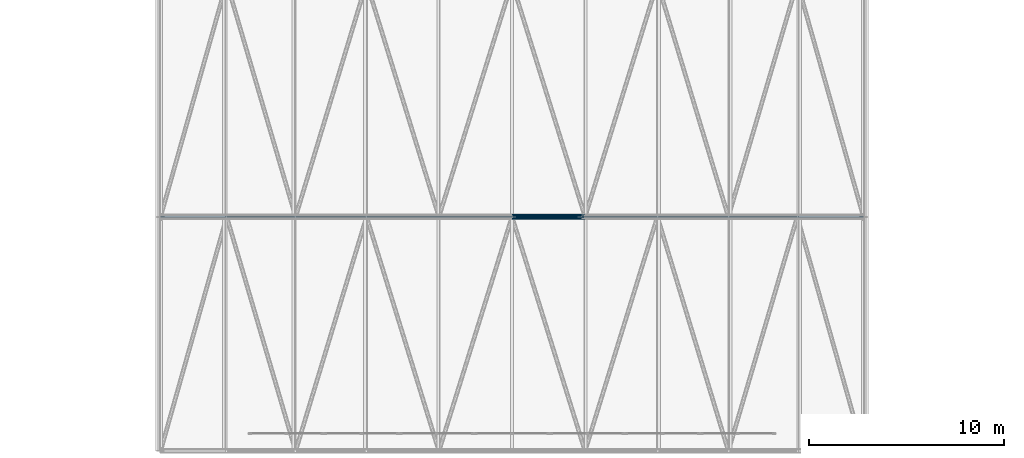
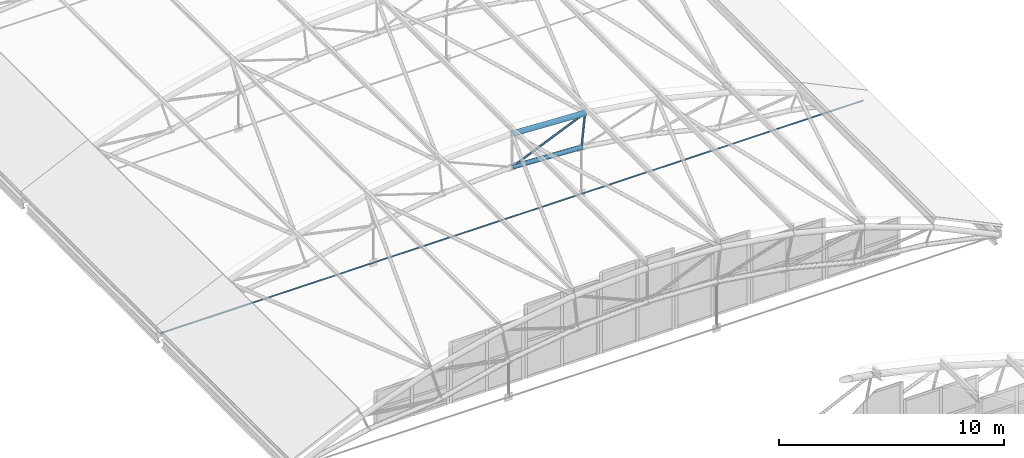
# One storey, part 210 of 321: 5 members.
"""IFC4 building model written with IfcOpenShell, lengths in metres."""

import ifcopenshell
import ifcopenshell.guid

model = None  # the IFC model being written
_history = None  # IfcOwnerHistory: only IFC2X3 demands one
_inside = {}  # id of a spatial element -> (the spatial element, [elements in it])
_under = {}  # id of a project, library or spatial element -> (it, [spatial elements below it])
_declared = {}  # id of a project -> (the project, [libraries it declares])
_typed = {}  # id of a type object -> (the type object, [elements of that type])
_made_of = {}  # id of a material, layer set ... -> (it, [elements and type objects made of it])


def new_model(schema):
    """Start an empty IFC model of exactly this schema.

    Asked for "IFC4X3", IfcOpenShell would pick the latest addendum, in which some entities
    have other attributes; the version numbers below select the first issue.
    IFC2X3 requires an IfcOwnerHistory on every rooted entity: one is made here for all.
    """
    global model, _history
    if schema == "IFC4X3":
        model = ifcopenshell.file(schema_version=(4, 3, 0, 0))
    else:
        model = ifcopenshell.file(schema=schema)
    _inside.clear()
    _under.clear()
    _declared.clear()
    _typed.clear()
    _made_of.clear()
    _history = None
    if model.schema == "IFC2X3":
        org = make("IfcOrganization", Name="unknown")
        user = make(
            "IfcPersonAndOrganization",
            ThePerson=make("IfcPerson", FamilyName="unknown"),
            TheOrganization=org,
        )
        app = make(
            "IfcApplication",
            ApplicationDeveloper=org,
            Version="unknown",
            ApplicationFullName="unknown",
            ApplicationIdentifier="unknown",
        )
        _history = make(
            "IfcOwnerHistory",
            OwningUser=user,
            OwningApplication=app,
            ChangeAction="ADDED",
            CreationDate=0,
        )
    return model


def make(cls, **values):
    """One entity of the class cls with the attributes given. An attribute that is None is left unset."""
    return model.create_entity(
        cls, **{name: value for name, value in values.items() if value is not None}
    )


def rooted(cls, **values):
    """An entity with a GlobalId (a new one), such as an element, a storey or a relation."""
    return make(cls, GlobalId=ifcopenshell.guid.new(), OwnerHistory=_history, **values)


def si_unit(unit_type, name, prefix=None):
    """IfcSIUnit, for example si_unit("LENGTHUNIT", "METRE", prefix="MILLI")."""
    return make("IfcSIUnit", UnitType=unit_type, Prefix=prefix, Name=name)


def assignment(units):
    """IfcUnitAssignment: the units of a project."""
    return None if units is None else make("IfcUnitAssignment", Units=units)


def point(xyz):
    """IfcCartesianPoint."""
    return None if xyz is None else make("IfcCartesianPoint", Coordinates=xyz)


def direction(xyz):
    """IfcDirection."""
    return None if xyz is None else make("IfcDirection", DirectionRatios=xyz)


def frame(location, z_axis=None, x_axis=None):
    """IfcAxis2Placement3D, a coordinate frame: its origin and axes. An axis left out is left unset."""
    return make(
        "IfcAxis2Placement3D",
        Location=point(location),
        Axis=direction(z_axis),
        RefDirection=direction(x_axis),
    )


def frame_2d(location, x_axis=None):
    """IfcAxis2Placement2D, a coordinate frame in the plane: its origin and x axis."""
    return make(
        "IfcAxis2Placement2D", Location=point(location), RefDirection=direction(x_axis)
    )


def origin():
    """The frame at (0, 0, 0) with its axes left unset."""
    return frame((0.0, 0.0, 0.0))


def origin_2d():
    """The frame at (0, 0) in the plane with its x axis left unset."""
    return frame_2d((0.0, 0.0))


def place(relative_to, where):
    """IfcLocalPlacement: puts the frame where relative to a parent placement (None: the world)."""
    return make(
        "IfcLocalPlacement", PlacementRelTo=relative_to, RelativePlacement=where
    )


def context(
    kind, dimensions, precision=None, world=None, true_north=None, identifier=None
):
    """IfcGeometricRepresentationContext, for example the 3D "Model" context."""
    return make(
        "IfcGeometricRepresentationContext",
        ContextIdentifier=identifier,
        ContextType=kind,
        CoordinateSpaceDimension=dimensions,
        Precision=precision,
        WorldCoordinateSystem=world,
        TrueNorth=true_north,
    )


def subcontext(parent, identifier, kind, view, scale=None):
    """IfcGeometricRepresentationSubContext, for example "Body" below "Model"."""
    return make(
        "IfcGeometricRepresentationSubContext",
        ContextIdentifier=identifier,
        ContextType=kind,
        ParentContext=parent,
        TargetScale=scale,
        TargetView=view,
    )


def project(units=None, contexts=None):
    """IfcProject with its units and contexts."""
    return rooted(
        "IfcProject",
        Name="project",
        RepresentationContexts=contexts,
        UnitsInContext=assignment(units),
    )


def spatial(cls, under=None, at=None, **own):
    """A site, building, storey or space (cls), placed at a placement, below another one or the project."""
    s = rooted(cls, ObjectPlacement=at, **own)
    if under is not None:
        _under.setdefault(under.id(), (under, []))[1].append(s)
    return s


def profile(cls, at=None, kind="AREA", **sizes):
    """A parametric profile (cls). Its sizes go by their IFC names, for example OverallWidth=200.0."""
    return make(cls, ProfileType=kind, Position=at, **sizes)


def circle(**sizes):
    """IfcCircleProfileDef."""
    return profile("IfcCircleProfileDef", **sizes)


def hollow_circle(**sizes):
    """IfcCircleHollowProfileDef."""
    return profile("IfcCircleHollowProfileDef", **sizes)


def extrude(swept, where, along, depth):
    """IfcExtrudedAreaSolid: the profile swept, set in the frame where, extruded along a direction by depth."""
    return make(
        "IfcExtrudedAreaSolid",
        SweptArea=swept,
        Position=where,
        ExtrudedDirection=direction(along),
        Depth=depth,
    )


def shape(context_of_items, identifier, shape_type, items):
    """IfcShapeRepresentation: the items that make up one representation, for example the "Body"."""
    return make(
        "IfcShapeRepresentation",
        ContextOfItems=context_of_items,
        RepresentationIdentifier=identifier,
        RepresentationType=shape_type,
        Items=items,
    )


def material(Name=None, Category=None):
    """IfcMaterial."""
    return make("IfcMaterial", Name=Name, Category=Category)


def material_profile(
    of_material, cross_section, Name=None, Category=None, Priority=None
):
    """IfcMaterialProfile: a cross section and its material."""
    return make(
        "IfcMaterialProfile",
        Name=Name,
        Material=of_material,
        Profile=cross_section,
        Priority=Priority,
        Category=Category,
    )


def profile_set(profiles, Name=None, composite=None):
    """IfcMaterialProfileSet."""
    return make(
        "IfcMaterialProfileSet",
        Name=Name,
        MaterialProfiles=profiles,
        CompositeProfile=composite,
    )


def made_of(thing, what):
    """Note that an element or type object is made of a material, layer set ...; save() writes the relation."""
    if what is not None:
        _made_of.setdefault(what.id(), (what, []))[1].append(thing)
    return thing


def type_object(cls, material=None, **own):
    """A type object (cls), such as IfcWallType, which elements share."""
    return made_of(rooted(cls, **own), material)


def element(
    cls,
    number,
    at=None,
    inside=None,
    cuts=None,
    type_object=None,
    material=None,
    context=None,
    identifier="Body",
    shape_type=None,
    held_by="IfcProductDefinitionShape",
    body=None,
    shapes=None,
    **own,
):
    """One element of the class cls, such as IfcWall. Its Tag is "e" and its number.

    at: its placement. inside: the storey or other place that contains it. cuts: it is an
    opening in that element (IfcRelVoidsElement). A single representation is given by context,
    identifier, shape_type and body (its items); several are given by shapes. held_by: the class
    of the entity that holds the representations. save() writes the other relations.
    """
    e = rooted(cls, Tag="e%d" % number, ObjectPlacement=at, **own)
    if body is not None:
        shapes = [shape(context, identifier, shape_type, body)]
    if shapes is not None:
        e.Representation = make(held_by, Representations=shapes)
    if inside is not None:
        _inside.setdefault(inside.id(), (inside, []))[1].append(e)
    if cuts is not None:
        rooted(
            "IfcRelVoidsElement", RelatingBuildingElement=cuts, RelatedOpeningElement=e
        )
    if type_object is not None:
        _typed.setdefault(type_object.id(), (type_object, []))[1].append(e)
    return made_of(e, material)


def aggregate(whole, parts):
    """IfcRelAggregates: a whole, such as a stair, and the parts it consists of."""
    return rooted("IfcRelAggregates", RelatingObject=whole, RelatedObjects=parts)


def save(model, path):
    """Write the relations noted so far, then the file.

    IfcRelAggregates (storeys below a building ...), IfcRelContainedInSpatialStructure (elements
    in a storey), IfcRelDefinesByType, IfcRelAssociatesMaterial and IfcRelDeclares: one each for
    every whole, place, type object, material and project.
    """
    for whole, parts in _under.values():
        aggregate(whole, parts)
    for where, things in _inside.values():
        rooted(
            "IfcRelContainedInSpatialStructure",
            RelatedElements=things,
            RelatingStructure=where,
        )
    for kind, things in _typed.values():
        rooted("IfcRelDefinesByType", RelatedObjects=things, RelatingType=kind)
    for what, things in _made_of.values():
        rooted("IfcRelAssociatesMaterial", RelatedObjects=things, RelatingMaterial=what)
    for by, libraries in _declared.values():
        rooted("IfcRelDeclares", RelatingContext=by, RelatedDefinitions=libraries)
    model.write(path)


model = new_model("IFC4")

# Units and contexts
model_context = context("Model", 3, precision=1e-05, world=origin(), true_north=direction((0.0, 1.0)))
body_context = subcontext(model_context, "Body", "Model", "MODEL_VIEW")
ifc_project = project(units=[si_unit("LENGTHUNIT", "METRE"), si_unit("AREAUNIT", "SQUARE_METRE"), si_unit("VOLUMEUNIT", "CUBIC_METRE"), si_unit("PLANEANGLEUNIT", "RADIAN"), si_unit("MASSUNIT", "GRAM", prefix="KILO")], contexts=[model_context])

# Site, building, storey
site_placement = place(None, origin())
site = spatial("IfcSite", under=ifc_project, at=site_placement, CompositionType="ELEMENT")
building_placement = place(site_placement, origin())
building = spatial("IfcBuilding", under=site, at=building_placement, Name="Ravi Spectrum Wholesale Market", CompositionType="ELEMENT")
storey_placement = place(building_placement, frame((0.0, 0.0, 10.800048828125)))
storey = spatial("IfcBuildingStorey", under=building, at=storey_placement, Name="L02", CompositionType="ELEMENT", Elevation=10.800048828125)

# Members
ifc_material_1 = material(Name="Steel S355", Category="steel")
ifc_material_profile_1 = material_profile(ifc_material_1, hollow_circle(Radius=0.05712890625, WallThickness=0.00390625, at=origin_2d()))
ifc_profile_set_1 = profile_set([ifc_material_profile_1], Name="Steel S355")
member_type_1 = type_object("IfcMemberType", Name="CHS 114.3x4 brace", PredefinedType="BRACE", material=ifc_profile_set_1)
member_1_placement = place(storey_placement, frame((183.7421875, 150.0, 4.31640625), z_axis=(-0.918016770488, 0.0, -0.396541560373), x_axis=(0.0, -1.0, 0.0)))
element("IfcMember", 1, at=member_1_placement, inside=storey, type_object=member_type_1, Name="H3-MB-L02-074", PredefinedType="BRACE", context=body_context, shape_type="SweptSolid", body=[
    extrude(hollow_circle(Radius=0.05712890625, WallThickness=0.00390625, at=origin_2d()), origin(), (0.0, 0.0, 1.0), 4.076416015625),
])
ifc_material_2 = material(Name="Steel S355", Category="steel")
ifc_material_profile_2 = material_profile(ifc_material_2, hollow_circle(Radius=0.05712890625, WallThickness=0.00390625, at=origin_2d()))
ifc_profile_set_2 = profile_set([ifc_material_profile_2], Name="Steel S355")
member_type_2 = type_object("IfcMemberType", Name="CHS 114.3x4 post", PredefinedType="POST", material=ifc_profile_set_2)
member_2_placement = place(storey_placement, frame((183.7421875, 150.0, 4.31640625), z_axis=(-0.097797973815, 0.0, -0.995206288323), x_axis=(0.0, -1.0, 0.0)))
element("IfcMember", 2, at=member_2_placement, inside=storey, type_object=member_type_2, Name="H3-MB-L02-066", PredefinedType="POST", context=body_context, shape_type="SweptSolid", body=[
    extrude(hollow_circle(Radius=0.05712890625, WallThickness=0.00390625, at=origin_2d()), origin(), (0.0, 0.0, 1.0), 1.7998046875),
])
ifc_material_3 = material(Name="Steel S355", Category="steel")
ifc_material_profile_3 = material_profile(ifc_material_3, hollow_circle(Radius=0.122314453125, WallThickness=0.008056640625, at=origin_2d()))
ifc_profile_set_3 = profile_set([ifc_material_profile_3], Name="Steel S355")
member_type_3 = type_object("IfcMemberType", Name="CHS 244.5x8 chord", PredefinedType="CHORD", material=ifc_profile_set_3)
member_3_placement = place(storey_placement, frame((180.0, 150.0, 2.699951171875), z_axis=(0.998800798306, 0.0, -0.048958812322), x_axis=(0.0, 1.0, 0.0)))
element("IfcMember", 3, at=member_3_placement, inside=storey, type_object=member_type_3, Name="H3-MB-L02-056", PredefinedType="CHORD", context=body_context, shape_type="SweptSolid", body=[
    extrude(hollow_circle(Radius=0.122314453125, WallThickness=0.008056640625, at=origin_2d()), origin(), (0.0, 0.0, 1.0), 3.570556640625),
])
ifc_material_4 = material(Name="Steel S355", Category="steel")
ifc_material_profile_4 = material_profile(ifc_material_4, hollow_circle(Radius=0.136474609375, WallThickness=0.010009765625, at=origin_2d()))
ifc_profile_set_4 = profile_set([ifc_material_profile_4], Name="Steel S355")
member_type_4 = type_object("IfcMemberType", Name="CHS 273x10 chord", PredefinedType="CHORD", material=ifc_profile_set_4)
member_4_placement = place(storey_placement, frame((180.0, 150.0, 4.5), z_axis=(0.998798699726, 0.0, -0.049001606354), x_axis=(0.0, 1.0, 0.0)))
element("IfcMember", 4, at=member_4_placement, inside=storey, type_object=member_type_4, Name="H3-MB-L02-046", PredefinedType="CHORD", context=body_context, shape_type="SweptSolid", body=[
    extrude(hollow_circle(Radius=0.136474609375, WallThickness=0.010009765625, at=origin_2d()), origin(), (0.0, 0.0, 1.0), 3.74658203125),
])
ifc_material_5 = material(Name="Steel S460", Category="steel")
ifc_material_profile_5 = material_profile(ifc_material_5, circle(Radius=0.030029296875, at=origin_2d()))
ifc_profile_set_5 = profile_set([ifc_material_profile_5], Name="Steel S460")
member_type_5 = type_object("IfcMemberType", Name="ROD 60 tie", PredefinedType="BRACE", material=ifc_profile_set_5)
member_5_placement = place(storey_placement, frame((162.0, 150.0, 0.0), z_axis=(1.0, 0.0, 0.0), x_axis=(0.0, 1.0, 0.0)))
element("IfcMember", 5, at=member_5_placement, inside=storey, type_object=member_type_5, Name="H3-MB-L02-078", PredefinedType="BRACE", context=body_context, shape_type="SweptSolid", body=[
    extrude(circle(Radius=0.030029296875, at=origin_2d()), origin(), (0.0, 0.0, 1.0), 36.0),
])

save(model, "model.ifc")
